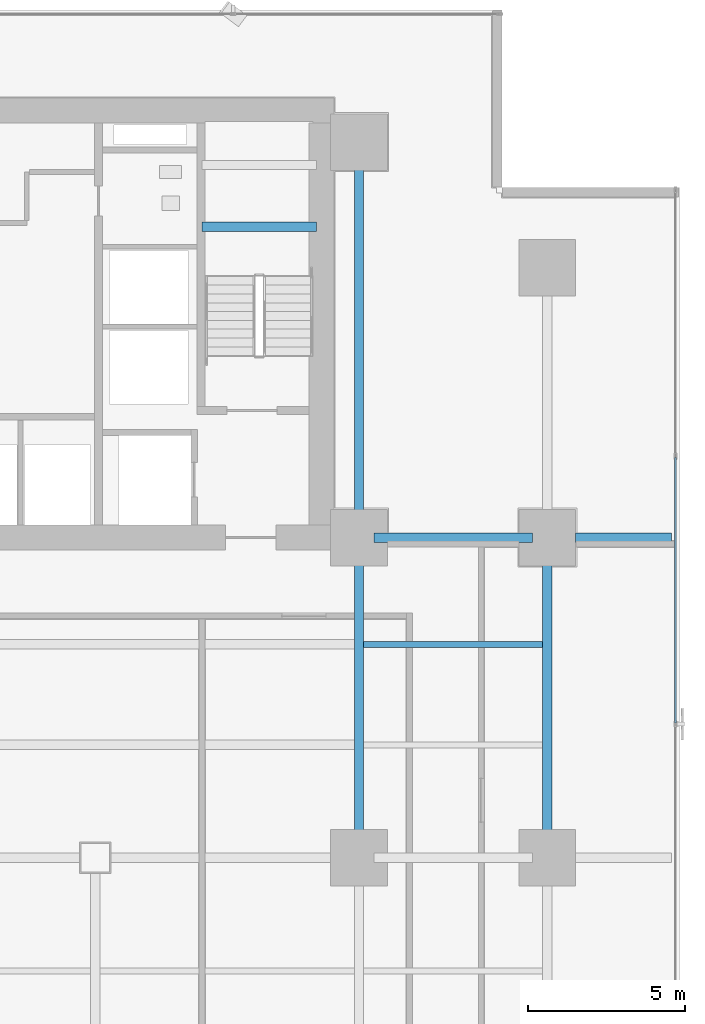
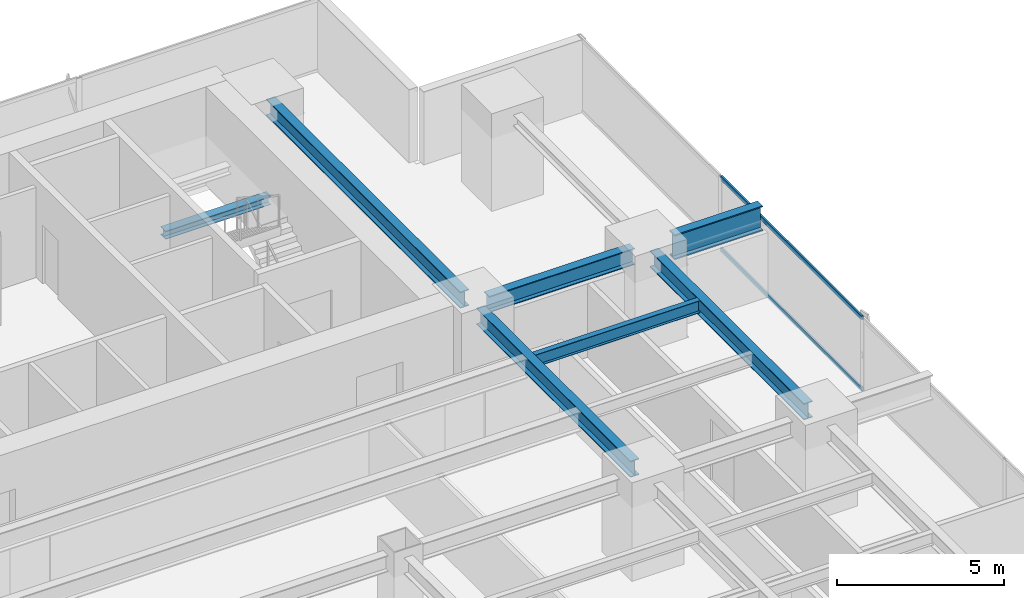
# One storey, part 20 of 33: 7 beams, 2 members, 1 element without a shape of its own.
"""IFC4 building model written with IfcOpenShell, lengths in metres."""

import ifcopenshell
import ifcopenshell.guid

model = None  # the IFC model being written
_history = None  # IfcOwnerHistory: only IFC2X3 demands one
_inside = {}  # id of a spatial element -> (the spatial element, [elements in it])
_under = {}  # id of a project, library or spatial element -> (it, [spatial elements below it])
_declared = {}  # id of a project -> (the project, [libraries it declares])
_typed = {}  # id of a type object -> (the type object, [elements of that type])
_made_of = {}  # id of a material, layer set ... -> (it, [elements and type objects made of it])


def new_model(schema):
    """Start an empty IFC model of exactly this schema.

    Asked for "IFC4X3", IfcOpenShell would pick the latest addendum, in which some entities
    have other attributes; the version numbers below select the first issue.
    IFC2X3 requires an IfcOwnerHistory on every rooted entity: one is made here for all.
    """
    global model, _history
    if schema == "IFC4X3":
        model = ifcopenshell.file(schema_version=(4, 3, 0, 0))
    else:
        model = ifcopenshell.file(schema=schema)
    _inside.clear()
    _under.clear()
    _declared.clear()
    _typed.clear()
    _made_of.clear()
    _history = None
    if model.schema == "IFC2X3":
        org = make("IfcOrganization", Name="unknown")
        user = make(
            "IfcPersonAndOrganization",
            ThePerson=make("IfcPerson", FamilyName="unknown"),
            TheOrganization=org,
        )
        app = make(
            "IfcApplication",
            ApplicationDeveloper=org,
            Version="unknown",
            ApplicationFullName="unknown",
            ApplicationIdentifier="unknown",
        )
        _history = make(
            "IfcOwnerHistory",
            OwningUser=user,
            OwningApplication=app,
            ChangeAction="ADDED",
            CreationDate=0,
        )
    return model


def make(cls, **values):
    """One entity of the class cls with the attributes given. An attribute that is None is left unset."""
    return model.create_entity(
        cls, **{name: value for name, value in values.items() if value is not None}
    )


def rooted(cls, **values):
    """An entity with a GlobalId (a new one), such as an element, a storey or a relation."""
    return make(cls, GlobalId=ifcopenshell.guid.new(), OwnerHistory=_history, **values)


def si_unit(unit_type, name, prefix=None):
    """IfcSIUnit, for example si_unit("LENGTHUNIT", "METRE", prefix="MILLI")."""
    return make("IfcSIUnit", UnitType=unit_type, Prefix=prefix, Name=name)


def assignment(units):
    """IfcUnitAssignment: the units of a project."""
    return None if units is None else make("IfcUnitAssignment", Units=units)


def point(xyz):
    """IfcCartesianPoint."""
    return None if xyz is None else make("IfcCartesianPoint", Coordinates=xyz)


def direction(xyz):
    """IfcDirection."""
    return None if xyz is None else make("IfcDirection", DirectionRatios=xyz)


def frame(location, z_axis=None, x_axis=None):
    """IfcAxis2Placement3D, a coordinate frame: its origin and axes. An axis left out is left unset."""
    return make(
        "IfcAxis2Placement3D",
        Location=point(location),
        Axis=direction(z_axis),
        RefDirection=direction(x_axis),
    )


def frame_2d(location, x_axis=None):
    """IfcAxis2Placement2D, a coordinate frame in the plane: its origin and x axis."""
    return make(
        "IfcAxis2Placement2D", Location=point(location), RefDirection=direction(x_axis)
    )


def origin():
    """The frame at (0, 0, 0) with its axes left unset."""
    return frame((0.0, 0.0, 0.0))


def origin_2d():
    """The frame at (0, 0) in the plane with its x axis left unset."""
    return frame_2d((0.0, 0.0))


def place(relative_to, where):
    """IfcLocalPlacement: puts the frame where relative to a parent placement (None: the world)."""
    return make(
        "IfcLocalPlacement", PlacementRelTo=relative_to, RelativePlacement=where
    )


def context(
    kind, dimensions, precision=None, world=None, true_north=None, identifier=None
):
    """IfcGeometricRepresentationContext, for example the 3D "Model" context."""
    return make(
        "IfcGeometricRepresentationContext",
        ContextIdentifier=identifier,
        ContextType=kind,
        CoordinateSpaceDimension=dimensions,
        Precision=precision,
        WorldCoordinateSystem=world,
        TrueNorth=true_north,
    )


def subcontext(parent, identifier, kind, view, scale=None):
    """IfcGeometricRepresentationSubContext, for example "Body" below "Model"."""
    return make(
        "IfcGeometricRepresentationSubContext",
        ContextIdentifier=identifier,
        ContextType=kind,
        ParentContext=parent,
        TargetScale=scale,
        TargetView=view,
    )


def project(units=None, contexts=None):
    """IfcProject with its units and contexts."""
    return rooted(
        "IfcProject",
        Name="project",
        RepresentationContexts=contexts,
        UnitsInContext=assignment(units),
    )


def spatial(cls, under=None, at=None, **own):
    """A site, building, storey or space (cls), placed at a placement, below another one or the project."""
    s = rooted(cls, ObjectPlacement=at, **own)
    if under is not None:
        _under.setdefault(under.id(), (under, []))[1].append(s)
    return s


def profile(cls, at=None, kind="AREA", **sizes):
    """A parametric profile (cls). Its sizes go by their IFC names, for example OverallWidth=200.0."""
    return make(cls, ProfileType=kind, Position=at, **sizes)


def hollow_rectangle(**sizes):
    """IfcRectangleHollowProfileDef."""
    return profile("IfcRectangleHollowProfileDef", **sizes)


def i_section(**sizes):
    """IfcIShapeProfileDef."""
    return profile("IfcIShapeProfileDef", **sizes)


def extrude(swept, where, along, depth):
    """IfcExtrudedAreaSolid: the profile swept, set in the frame where, extruded along a direction by depth."""
    return make(
        "IfcExtrudedAreaSolid",
        SweptArea=swept,
        Position=where,
        ExtrudedDirection=direction(along),
        Depth=depth,
    )


def shape(context_of_items, identifier, shape_type, items):
    """IfcShapeRepresentation: the items that make up one representation, for example the "Body"."""
    return make(
        "IfcShapeRepresentation",
        ContextOfItems=context_of_items,
        RepresentationIdentifier=identifier,
        RepresentationType=shape_type,
        Items=items,
    )


def source(mapping_origin, context_of_items, identifier, shape_type, items):
    """IfcRepresentationMap: a shape defined once, which mapped items show again and again."""
    return make(
        "IfcRepresentationMap",
        MappingOrigin=mapping_origin,
        MappedRepresentation=shape(context_of_items, identifier, shape_type, items),
    )


def transform(
    local_origin,
    x_axis=None,
    y_axis=None,
    z_axis=None,
    scale=None,
    scale2=None,
    scale3=None,
    uniform=True,
):
    """IfcCartesianTransformationOperator3D, or its non-uniform kind. x_axis, y_axis, z_axis: its Axis1, 2, 3."""
    if uniform:
        return make(
            "IfcCartesianTransformationOperator3D",
            Axis1=direction(x_axis),
            Axis2=direction(y_axis),
            LocalOrigin=point(local_origin),
            Scale=scale,
            Axis3=direction(z_axis),
        )
    return make(
        "IfcCartesianTransformationOperator3DnonUniform",
        Axis1=direction(x_axis),
        Axis2=direction(y_axis),
        LocalOrigin=point(local_origin),
        Scale=scale,
        Axis3=direction(z_axis),
        Scale2=scale2,
        Scale3=scale3,
    )


def mapped(mapping_source, mapping_target):
    """IfcMappedItem: shows the shape of a source again, moved by a transform."""
    return make(
        "IfcMappedItem", MappingSource=mapping_source, MappingTarget=mapping_target
    )


def material(Name=None, Category=None):
    """IfcMaterial."""
    return make("IfcMaterial", Name=Name, Category=Category)


def layer(
    of_material, thickness, ventilated=None, Name=None, Category=None, Priority=None
):
    """IfcMaterialLayer: one layer of a wall or slab, of a material (None: an air gap)."""
    return make(
        "IfcMaterialLayer",
        Material=of_material,
        LayerThickness=thickness,
        IsVentilated=ventilated,
        Name=Name,
        Category=Category,
        Priority=Priority,
    )


def layer_set(layers, Name=None):
    """IfcMaterialLayerSet."""
    return make("IfcMaterialLayerSet", MaterialLayers=layers, LayerSetName=Name)


def material_profile(
    of_material, cross_section, Name=None, Category=None, Priority=None
):
    """IfcMaterialProfile: a cross section and its material."""
    return make(
        "IfcMaterialProfile",
        Name=Name,
        Material=of_material,
        Profile=cross_section,
        Priority=Priority,
        Category=Category,
    )


def profile_set(profiles, Name=None, composite=None):
    """IfcMaterialProfileSet."""
    return make(
        "IfcMaterialProfileSet",
        Name=Name,
        MaterialProfiles=profiles,
        CompositeProfile=composite,
    )


def made_of(thing, what):
    """Note that an element or type object is made of a material, layer set ...; save() writes the relation."""
    if what is not None:
        _made_of.setdefault(what.id(), (what, []))[1].append(thing)
    return thing


def type_object(cls, material=None, **own):
    """A type object (cls), such as IfcWallType, which elements share."""
    return made_of(rooted(cls, **own), material)


def element(
    cls,
    number,
    at=None,
    inside=None,
    cuts=None,
    type_object=None,
    material=None,
    context=None,
    identifier="Body",
    shape_type=None,
    held_by="IfcProductDefinitionShape",
    body=None,
    shapes=None,
    **own,
):
    """One element of the class cls, such as IfcWall. Its Tag is "e" and its number.

    at: its placement. inside: the storey or other place that contains it. cuts: it is an
    opening in that element (IfcRelVoidsElement). A single representation is given by context,
    identifier, shape_type and body (its items); several are given by shapes. held_by: the class
    of the entity that holds the representations. save() writes the other relations.
    """
    e = rooted(cls, Tag="e%d" % number, ObjectPlacement=at, **own)
    if body is not None:
        shapes = [shape(context, identifier, shape_type, body)]
    if shapes is not None:
        e.Representation = make(held_by, Representations=shapes)
    if inside is not None:
        _inside.setdefault(inside.id(), (inside, []))[1].append(e)
    if cuts is not None:
        rooted(
            "IfcRelVoidsElement", RelatingBuildingElement=cuts, RelatedOpeningElement=e
        )
    if type_object is not None:
        _typed.setdefault(type_object.id(), (type_object, []))[1].append(e)
    return made_of(e, material)


def aggregate(whole, parts):
    """IfcRelAggregates: a whole, such as a stair, and the parts it consists of."""
    return rooted("IfcRelAggregates", RelatingObject=whole, RelatedObjects=parts)


def save(model, path):
    """Write the relations noted so far, then the file.

    IfcRelAggregates (storeys below a building ...), IfcRelContainedInSpatialStructure (elements
    in a storey), IfcRelDefinesByType, IfcRelAssociatesMaterial and IfcRelDeclares: one each for
    every whole, place, type object, material and project.
    """
    for whole, parts in _under.values():
        aggregate(whole, parts)
    for where, things in _inside.values():
        rooted(
            "IfcRelContainedInSpatialStructure",
            RelatedElements=things,
            RelatingStructure=where,
        )
    for kind, things in _typed.values():
        rooted("IfcRelDefinesByType", RelatedObjects=things, RelatingType=kind)
    for what, things in _made_of.values():
        rooted("IfcRelAssociatesMaterial", RelatedObjects=things, RelatingMaterial=what)
    for by, libraries in _declared.values():
        rooted("IfcRelDeclares", RelatingContext=by, RelatedDefinitions=libraries)
    model.write(path)


model = new_model("IFC4")

# Units and contexts
model_context = context("Model", 3, precision=1e-05, world=origin(), true_north=direction((0.0, 1.0)))
body_context = subcontext(model_context, "Body", "Model", "MODEL_VIEW")
ifc_project = project(units=[si_unit("LENGTHUNIT", "METRE"), si_unit("AREAUNIT", "SQUARE_METRE"), si_unit("VOLUMEUNIT", "CUBIC_METRE"), si_unit("PLANEANGLEUNIT", "RADIAN"), si_unit("MASSUNIT", "GRAM", prefix="KILO")], contexts=[model_context])

# Site, building, storey
site_placement = place(None, origin())
site = spatial("IfcSite", under=ifc_project, at=site_placement, CompositionType="ELEMENT")
building_placement = place(site_placement, origin())
building = spatial("IfcBuilding", under=site, at=building_placement, Name="Sumidabori Civic Tower", CompositionType="ELEMENT")
storey_placement = place(building_placement, frame((0.0, 0.0, 66.800048828125)))
storey = spatial("IfcBuildingStorey", under=building, at=storey_placement, Name="L17", CompositionType="ELEMENT", Elevation=66.800048828125)

# Beams
ifc_material_1 = material(Name="Steel SN490", Category="steel")
ifc_material_profile_1 = material_profile(ifc_material_1, i_section(OverallWidth=0.300048828125, OverallDepth=0.300048828125, WebThickness=0.010986328125, FlangeThickness=0.01904296875, at=origin_2d()), Name="HE 300 B")
ifc_profile_set_1 = profile_set([ifc_material_profile_1], Name="Steel SN490")
beam_type_1 = type_object("IfcBeamType", Name="BM-LDG-300", PredefinedType="BEAM", material=ifc_profile_set_1)
shared_shape_1 = source(origin(), body_context, "Body", "SweptSolid", [
    extrude(i_section(OverallWidth=0.300048828125, OverallDepth=0.300048828125, WebThickness=0.010986328125, FlangeThickness=0.01904296875, at=origin_2d()), origin(), (0.0, 0.0, 1.0), 3.64990234375),
])
beam_1_placement = place(storey_placement, frame((11.800048828125, 20.09765625, 1.449951171875), z_axis=(1.0, 0.0, 0.0), x_axis=(0.0, 1.0, 0.0)))
element("IfcBeam", 1, at=beam_1_placement, inside=storey, type_object=beam_type_1, Name="Stair ST-2 Landing Support Beam L17-1A", PredefinedType="BEAM", context=body_context, shape_type="MappedRepresentation", body=[
    mapped(shared_shape_1, transform((0.0, 0.0, 0.0), x_axis=(1.0, 0.0, 0.0), y_axis=(0.0, 1.0, 0.0), z_axis=(0.0, 0.0, 1.0), scale=1.0)),
])
ifc_material_profile_2 = material_profile(ifc_material_1, i_section(OverallWidth=0.300048828125, OverallDepth=0.60009765625, WebThickness=0.015380859375, FlangeThickness=0.030029296875, at=origin_2d()), Name="HE 600 B")
ifc_profile_set_2 = profile_set([ifc_material_profile_2], Name="Steel SN490")
beam_type_2 = type_object("IfcBeamType", Name="BM-GIRD-600", PredefinedType="BEAM", material=ifc_profile_set_2)
shared_shape_2 = source(origin(), body_context, "Body", "SweptSolid", [
    extrude(i_section(OverallWidth=0.300048828125, OverallDepth=0.60009765625, WebThickness=0.015380859375, FlangeThickness=0.030029296875, at=origin_2d()), origin(), (0.0, 0.0, 1.0), 5.0400390625),
])
beam_2_placement = place(storey_placement, frame((17.280029296875, 10.199951171875, 3.0), z_axis=(1.0, 0.0, 0.0), x_axis=(0.0, 1.0, 0.0)))
element("IfcBeam", 2, at=beam_2_placement, inside=storey, type_object=beam_type_2, Name="Primary Girder L17 GX-20", PredefinedType="BEAM", context=body_context, shape_type="MappedRepresentation", body=[
    mapped(shared_shape_2, transform((0.0, 0.0, 0.0), x_axis=(1.0, 0.0, 0.0), y_axis=(0.0, 1.0, 0.0), z_axis=(0.0, 0.0, 1.0), scale=1.0)),
])
shared_shape_3 = source(origin(), body_context, "Body", "SweptSolid", [
    extrude(i_section(OverallWidth=0.300048828125, OverallDepth=0.60009765625, WebThickness=0.015380859375, FlangeThickness=0.030029296875, at=origin_2d()), origin(), (0.0, 0.0, 1.0), 9.239990234375),
])
for number, where, z_axis, x_axis, name in (
    (3, (16.800048828125, 0.47998046875, 3.0), (0.0, 1.0, 0.0), (-1.0, 0.0, 0.0), "Primary Girder L17 GY-37"),
    (4, (22.800048828125, 0.47998046875, 3.0), (0.0, 1.0, 0.0), (-1.0, 0.0, 0.0), "Primary Girder L17 GY-41"),
):
    element("IfcBeam", number, at=place(storey_placement, frame(where, z_axis=z_axis, x_axis=x_axis)), inside=storey, type_object=beam_type_2, Name=name, PredefinedType="BEAM", context=body_context, shape_type="MappedRepresentation", body=[
        mapped(shared_shape_3, transform((0.0, 0.0, 0.0), x_axis=(1.0, 0.0, 0.0), y_axis=(0.0, 1.0, 0.0), z_axis=(0.0, 0.0, 1.0), scale=1.0)),
    ])
shared_shape_4 = source(origin(), body_context, "Body", "SweptSolid", [
    extrude(i_section(OverallWidth=0.300048828125, OverallDepth=0.60009765625, WebThickness=0.015380859375, FlangeThickness=0.030029296875, at=origin_2d()), origin(), (0.0, 0.0, 1.0), 11.64013671875),
])
beam_3_placement = place(storey_placement, frame((16.800048828125, 10.679931640625, 3.0), z_axis=(0.0, 1.0, 0.0), x_axis=(-1.0, 0.0, 0.0)))
element("IfcBeam", 5, at=beam_3_placement, inside=storey, type_object=beam_type_2, Name="Primary Girder L17 GY-38", PredefinedType="BEAM", context=body_context, shape_type="MappedRepresentation", body=[
    mapped(shared_shape_4, transform((0.0, 0.0, 0.0), x_axis=(1.0, 0.0, 0.0), y_axis=(0.0, 1.0, 0.0), z_axis=(0.0, 0.0, 1.0), scale=1.0)),
])
ifc_material_profile_3 = material_profile(ifc_material_1, i_section(OverallWidth=0.302001953125, OverallDepth=0.909912109375, WebThickness=0.02099609375, FlangeThickness=0.0400390625, at=origin_2d()), Name="HE 900 M")
ifc_profile_set_3 = profile_set([ifc_material_profile_3], Name="Steel SN490")
beam_type_3 = type_object("IfcBeamType", Name="BM-Z1-EDGE", PredefinedType="SPANDREL", material=ifc_profile_set_3)
shared_shape_5 = source(origin(), body_context, "Body", "SweptSolid", [
    extrude(i_section(OverallWidth=0.302001953125, OverallDepth=0.909912109375, WebThickness=0.02099609375, FlangeThickness=0.0400390625, at=origin_2d()), origin(), (0.0, 0.0, 1.0), 3.050048828125),
])
beam_4_placement = place(storey_placement, frame((23.699951171875, 10.199951171875, 2.844970703125), z_axis=(1.0, 0.0, 0.0), x_axis=(0.0, 1.0, 0.0)))
element("IfcBeam", 6, at=beam_4_placement, inside=storey, type_object=beam_type_3, Name="Perimeter Overhang Beam L17 E-47", PredefinedType="SPANDREL", context=body_context, shape_type="MappedRepresentation", body=[
    mapped(shared_shape_5, transform((0.0, 0.0, 0.0), x_axis=(1.0, 0.0, 0.0), y_axis=(0.0, 1.0, 0.0), z_axis=(0.0, 0.0, 1.0), scale=1.0)),
])
ifc_material_profile_4 = material_profile(ifc_material_1, i_section(OverallWidth=0.18994140625, OverallDepth=0.449951171875, WebThickness=0.009521484375, FlangeThickness=0.0146484375, at=origin_2d()), Name="IPE 450")
ifc_profile_set_4 = profile_set([ifc_material_profile_4], Name="Steel SN490")
beam_type_4 = type_object("IfcBeamType", Name="BM-JST-450", PredefinedType="JOIST", material=ifc_profile_set_4)
shared_shape_6 = source(origin(), body_context, "Body", "SweptSolid", [
    extrude(i_section(OverallWidth=0.18994140625, OverallDepth=0.449951171875, WebThickness=0.009521484375, FlangeThickness=0.0146484375, at=origin_2d()), origin(), (0.0, 0.0, 1.0), 5.699951171875),
])
beam_5_placement = place(storey_placement, frame((16.949951171875, 6.800048828125, 3.074951171875), z_axis=(1.0, 0.0, 0.0), x_axis=(0.0, 1.0, 0.0)))
element("IfcBeam", 7, at=beam_5_placement, inside=storey, type_object=beam_type_4, Name="Outer Bay Floor Joist L17 JSTO-56", PredefinedType="JOIST", context=body_context, shape_type="MappedRepresentation", body=[
    mapped(shared_shape_6, transform((0.0, 0.0, 0.0), x_axis=(1.0, 0.0, 0.0), y_axis=(0.0, 1.0, 0.0), z_axis=(0.0, 0.0, 1.0), scale=1.0)),
])

# Curtain wall, members
ifc_material_2 = material(Name="Anodised Bronze Aluminium AW-6063-T6", Category="aluminium")
ifc_layer = layer(ifc_material_2, 0.179931640625, Name="Anodised Bronze Aluminium AW-6063-T6")
ifc_layer_set = layer_set([ifc_layer], Name="Anodised Bronze Aluminium AW-6063-T6")
curtain_wall_type = type_object("IfcCurtainWallType", Name="CW-SYS-2", PredefinedType="NOTDEFINED", material=ifc_layer_set)
curtain_wall_placement = place(storey_placement, origin())
curtain_wall = element("IfcCurtainWall", 8, at=curtain_wall_placement, inside=storey, type_object=curtain_wall_type, Name="Curtain Wall CW:L17:R04", PredefinedType="NOTDEFINED")
ifc_material_profile_5 = material_profile(ifc_material_2, hollow_rectangle(XDim=0.06494140625, YDim=0.14990234375, WallThickness=0.0048828125, at=origin_2d()), Name="ALU TRANSOM 150x65")
ifc_profile_set_5 = profile_set([ifc_material_profile_5], Name="Anodised Bronze Aluminium AW-6063-T6")
member_type = type_object("IfcMemberType", Name="CW-TRN-150", PredefinedType="USERDEFINED", material=ifc_profile_set_5)
shared_shape_7 = source(origin(), body_context, "Body", "SweptSolid", [
    extrude(hollow_rectangle(XDim=0.06494140625, YDim=0.14990234375, WallThickness=0.0048828125, at=origin_2d()), origin(), (0.0, 0.0, 1.0), 8.4580078125),
])
member_1_placement = place(storey_placement, frame((26.8798828125, 4.299072265625, 0.032470703125), z_axis=(0.0, 1.0, 0.0), x_axis=(-1.0, 0.0, 0.0)))
member_1 = element("IfcMember", 9, at=member_1_placement, type_object=member_type, Name="CW-2 transom 4.1", ObjectType="TRANSOM", PredefinedType="USERDEFINED", context=body_context, shape_type="MappedRepresentation", body=[
    mapped(shared_shape_7, transform((0.0, 0.0, 0.0), x_axis=(1.0, 0.0, 0.0), y_axis=(0.0, 1.0, 0.0), z_axis=(0.0, 0.0, 1.0), scale=1.0)),
])
member_2_placement = place(storey_placement, frame((26.8798828125, 4.299072265625, 2.6474609375), z_axis=(0.0, 1.0, 0.0), x_axis=(-1.0, 0.0, 0.0)))
member_2 = element("IfcMember", 10, at=member_2_placement, type_object=member_type, Name="CW-2 transom 4.2", ObjectType="TRANSOM", PredefinedType="USERDEFINED", context=body_context, shape_type="MappedRepresentation", body=[
    mapped(shared_shape_7, transform((0.0, 0.0, 0.0), x_axis=(1.0, 0.0, 0.0), y_axis=(0.0, 1.0, 0.0), z_axis=(0.0, 0.0, 1.0), scale=1.0)),
])
aggregate(curtain_wall, [member_1, member_2])

save(model, "model.ifc")
